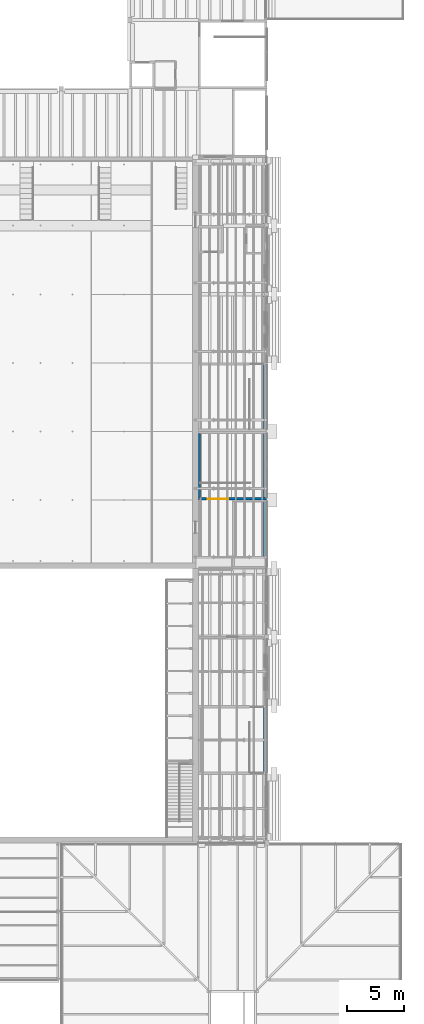
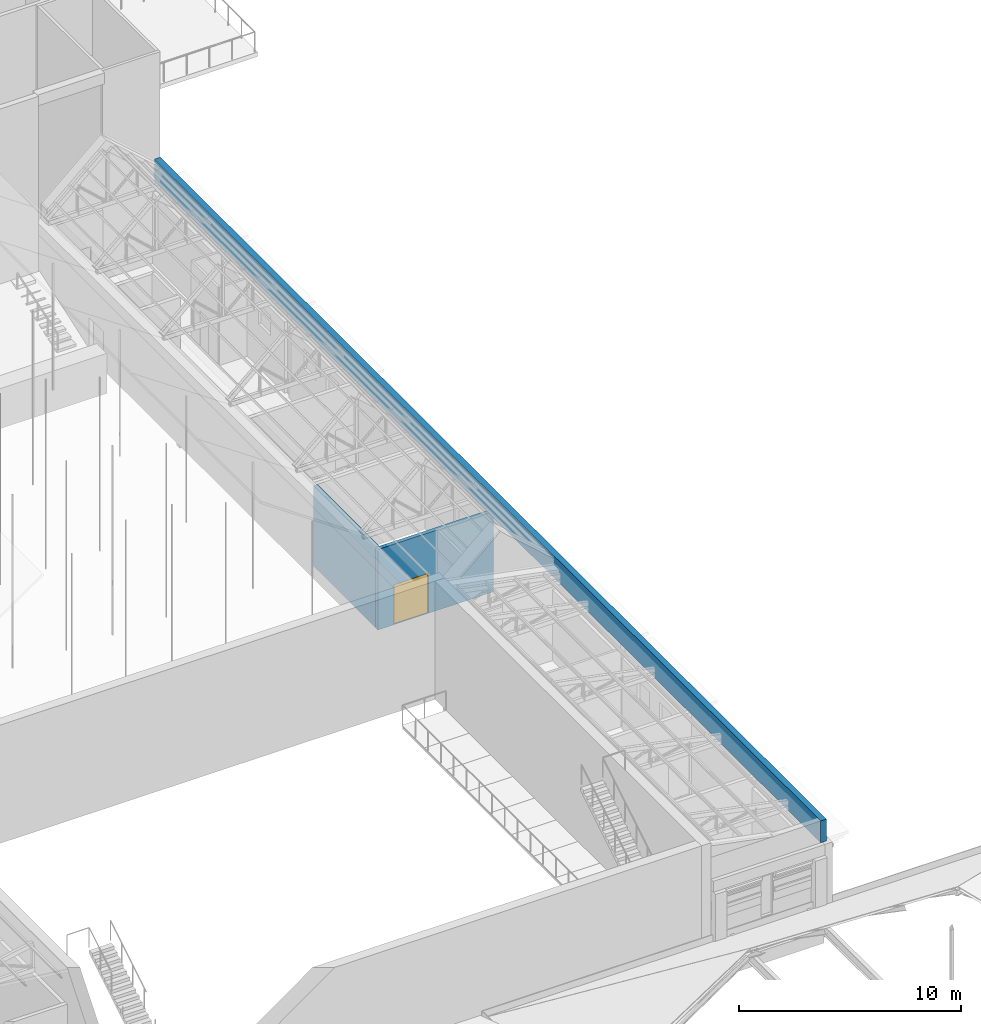
# One storey, part 62 of 118: 3 walls, 1 door, 1 opening.
"""IFC4 building model written with IfcOpenShell, lengths in metres."""

from ifc_helpers import new_model, si_unit, direction, frame, frame_2d, origin, place, context, subcontext, project, spatial, rectangle, extrude, material, layer, layer_set, type_object, element, fill, save


model = new_model("IFC4")

# Units and contexts
model_context = context("Model", 3, precision=1e-05, world=origin(), true_north=direction((0.0, 1.0)))
body_context = subcontext(model_context, "Body", "Model", "MODEL_VIEW")
ifc_project = project(units=[si_unit("LENGTHUNIT", "METRE"), si_unit("AREAUNIT", "SQUARE_METRE"), si_unit("VOLUMEUNIT", "CUBIC_METRE"), si_unit("PLANEANGLEUNIT", "RADIAN"), si_unit("MASSUNIT", "GRAM", prefix="KILO")], contexts=[model_context])

# Site, building, storey
site_placement = place(None, origin())
site = spatial("IfcSite", under=ifc_project, at=site_placement, CompositionType="ELEMENT")
building_placement = place(site_placement, origin())
building = spatial("IfcBuilding", under=site, at=building_placement, Name="Saffron Lane Theatres", CompositionType="ELEMENT")
storey_placement = place(building_placement, frame((0.0, 0.0, 16.5)))
storey = spatial("IfcBuildingStorey", under=building, at=storey_placement, Name="L03", CompositionType="ELEMENT", Elevation=16.5)

# Wall
ifc_material_1 = material(Name="Masonry pale clay brick", Category="masonry")
ifc_layer_1 = layer(ifc_material_1, 0.11, Name="outer leaf")
ifc_layer_2 = layer(ifc_material_1, 0.08, Name="core")
ifc_layer_3 = layer(ifc_material_1, 0.11, Name="inner leaf")
ifc_layer_set_1 = layer_set([ifc_layer_1, ifc_layer_2, ifc_layer_3], Name="Masonry pale clay brick")
wall_type_1 = type_object("IfcWallType", Name="EX-PARAPET BRICK 300", PredefinedType="PARAPET", material=ifc_layer_set_1)
wall_1_placement = place(storey_placement, frame((53.85009765625, 30.0, 4.5), z_axis=(0.0, 0.0, 1.0), x_axis=(0.0, 1.0, 0.0)))
element("IfcWall", 1, at=wall_1_placement, inside=storey, type_object=wall_type_1, Name="Parapet flank roof", PredefinedType="PARAPET", context=body_context, shape_type="SweptSolid", body=[
    extrude(rectangle(XDim=60.0, YDim=0.300048828125, at=frame_2d((30.0, 0.0))), origin(), (0.0, 0.0, 1.0), 1.199951171875),
])

# Wall, opening, door
ifc_material_2 = material(Name="Concrete N50 (50 MPa)", Category="concrete")
ifc_layer_4 = layer(ifc_material_2, 0.199951171875)
ifc_layer_set_2 = layer_set([ifc_layer_4], Name="Concrete N50 (50 MPa)")
wall_type_2 = type_object("IfcWallType", Name="RC-CORE 200", PredefinedType="SHEAR", material=ifc_layer_set_2)
wall_2_placement = place(storey_placement, frame((48.0, 60.10009765625, 0.0), z_axis=(0.0, 0.0, 1.0), x_axis=(1.0, 0.0, 0.0)))
wall_2 = element("IfcWall", 2, at=wall_2_placement, inside=storey, type_object=wall_type_2, Name="W-ST11-S-L03", PredefinedType="SHEAR", context=body_context, shape_type="SweptSolid", body=[
    extrude(rectangle(XDim=6.0, YDim=0.199951171875, at=frame_2d((3.0, 0.0))), origin(), (0.0, 0.0, 1.0), 4.422119140625),
])
opening_placement = place(wall_2_placement, frame((0.824951171875, 0.0, 0.0)))
opening = element("IfcOpeningElement", 3, at=opening_placement, cuts=wall_2, Name="Opening D03-17", PredefinedType="OPENING", context=body_context, shape_type="SweptSolid", body=[
    extrude(rectangle(XDim=1.800048828125, YDim=2.199951171875, at=frame_2d((0.89990234375, 1.10009765625))), frame((0.0, 0.10986328125, 0.0), z_axis=(0.0, -1.0, 0.0), x_axis=(1.0, 0.0, 0.0)), (0.0, 0.0, 1.0), 0.219970703125),
])
ifc_material_3 = material(Name="Steel faced fire door leaf", Category="steel")
door_type = type_object("IfcDoorType", Name="IN-DOOR 1800x2200 FD120", OperationType="DOUBLE_DOOR_SINGLE_SWING", PredefinedType="DOOR", material=ifc_material_3)
door_placement = place(opening_placement, origin())
door = element("IfcDoor", 4, at=door_placement, inside=storey, type_object=door_type, Name="D03-17", OperationType="DOUBLE_DOOR_SINGLE_SWING", OverallHeight=2.199951171875, OverallWidth=1.800048828125, PredefinedType="DOOR", context=body_context, shape_type="SweptSolid", body=[
    extrude(rectangle(XDim=1.800048828125, YDim=2.199951171875, at=frame_2d((0.89990234375, 1.10009765625))), frame((0.0, 0.02490234375, 0.0), z_axis=(0.0, -1.0, 0.0), x_axis=(1.0, 0.0, 0.0)), (0.0, 0.0, 1.0), 0.050048828125),
])
fill(opening, door)

# Wall
wall_3_placement = place(storey_placement, frame((48.10009765625, 60.199951171875, 0.0), z_axis=(0.0, 0.0, 1.0), x_axis=(0.0, 1.0, 0.0)))
element("IfcWall", 5, at=wall_3_placement, inside=storey, type_object=wall_type_2, Name="W-ST11-W-L03", PredefinedType="SHEAR", context=body_context, shape_type="SweptSolid", body=[
    extrude(rectangle(XDim=5.60009765625, YDim=0.199951171875, at=frame_2d((2.800048828125, 0.0))), origin(), (0.0, 0.0, 1.0), 4.422119140625),
])

save(model, "model.ifc")
